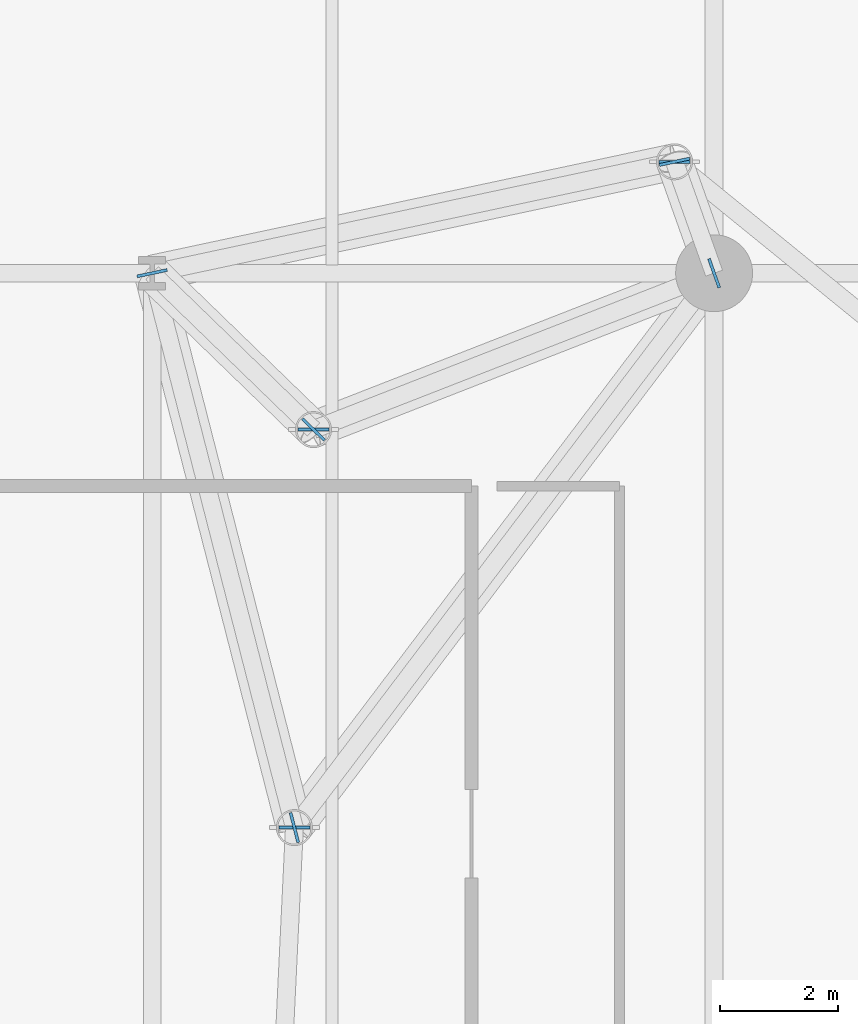
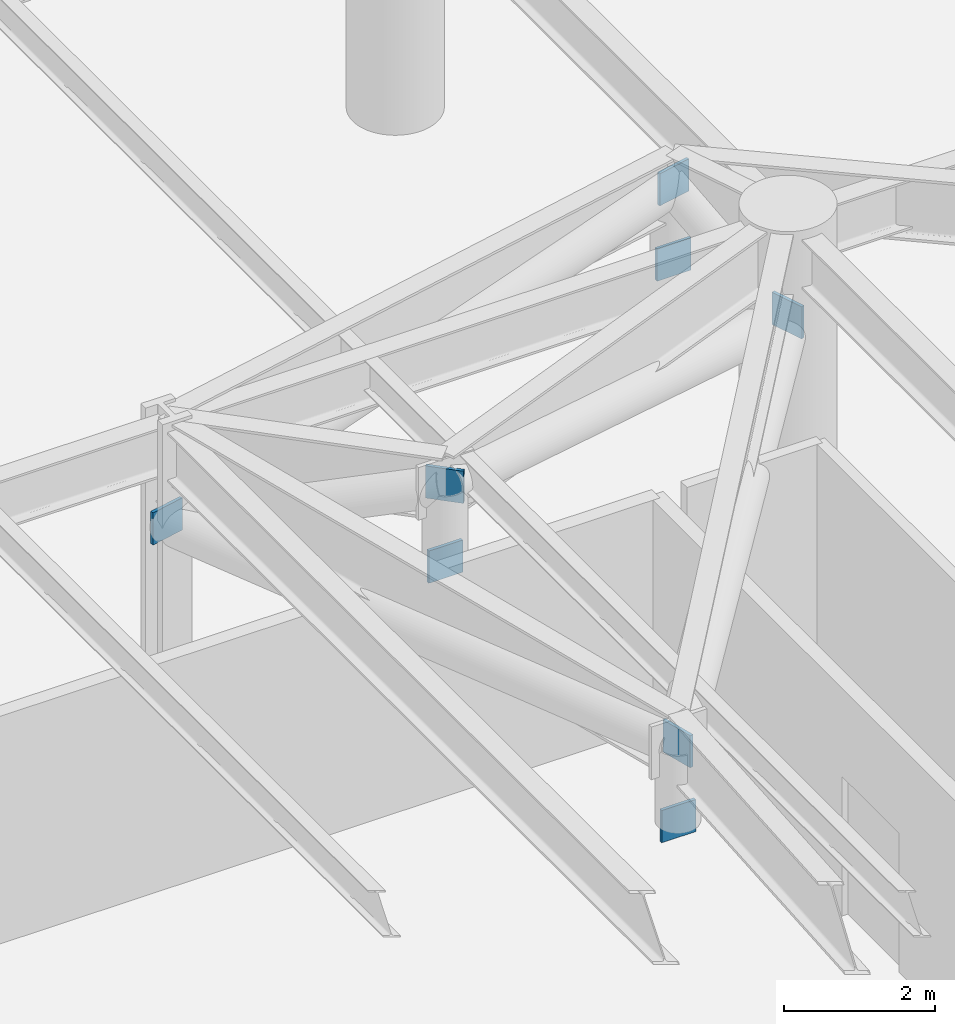
# One storey, part 36 of 40: 8 discrete accessories.
"""IFC4 building model written with IfcOpenShell, lengths in metres."""

from ifc_helpers import new_model, si_unit, direction, frame, origin, origin_2d, place, context, subcontext, project, spatial, rectangle, extrude, material, type_object, element, save


model = new_model("IFC4")

# Units and contexts
model_context = context("Model", 3, precision=1e-05, world=origin(), true_north=direction((0.0, 1.0)))
body_context = subcontext(model_context, "Body", "Model", "MODEL_VIEW")
ifc_project = project(units=[si_unit("LENGTHUNIT", "METRE"), si_unit("AREAUNIT", "SQUARE_METRE"), si_unit("VOLUMEUNIT", "CUBIC_METRE"), si_unit("PLANEANGLEUNIT", "RADIAN"), si_unit("MASSUNIT", "GRAM", prefix="KILO")], contexts=[model_context])

# Site, building, storey
site_placement = place(None, origin())
site = spatial("IfcSite", under=ifc_project, at=site_placement, CompositionType="ELEMENT")
building_placement = place(site_placement, origin())
building = spatial("IfcBuilding", under=site, at=building_placement, Name="Narakoshi Arena Tower", CompositionType="ELEMENT")
storey_placement = place(building_placement, frame((0.0, 0.0, 21.60009765625)))
storey = spatial("IfcBuildingStorey", under=building, at=storey_placement, Name="L05", CompositionType="ELEMENT", Elevation=21.60009765625)

# Discrete accessories
ifc_material = material(Name="Structural steel S460ML", Category="steel")
discrete_accessory_type = type_object("IfcDiscreteAccessoryType", Name="ACC-GUS-PLT", PredefinedType="BRACKET", material=ifc_material)
for number, where, z_axis, x_axis, name in (
    (1, (60.699951171875, 75.60009765625, 2.68994140625), (0.0, 0.0, 1.0), (0.978002212635, 0.208594515944, 0.0), "L05 Brace Node Gusset Plate 0121"),
    (2, (69.531005859375, 77.483154296875, 3.935791015625), (0.0, 0.0, 1.0), (0.978002212635, 0.208594515944, 0.0), "L05 Brace Node Gusset Plate 0122"),
    (3, (70.199951171875, 75.60009765625, 2.68994140625), (0.0, 0.0, 1.0), (-0.334793807884, 0.94229141257, 0.0), "L05 Brace Node Gusset Plate 0123"),
    (4, (69.531005859375, 77.483154296875, 2.68994140625), (0.0, 0.0, 1.0), (1.0, 0.0, 0.0), "L05 Brace Node Gusset Plate 0124"),
    (5, (63.42822265625, 72.95654296875, 3.935791015625), (0.0, 0.0, 1.0), (-0.718247746521, 0.69578744931, 0.0), "L05 Brace Node Gusset Plate 0125"),
    (6, (63.42822265625, 72.95654296875, 2.68994140625), (0.0, 0.0, 1.0), (1.0, 0.0, 0.0), "L05 Brace Node Gusset Plate 0126"),
    (7, (63.10498046875, 66.228271484375, 3.935791015625), (0.0, 0.0, 1.0), (-0.248520833726, 0.96862655095, 0.0), "L05 Brace Node Gusset Plate 0127"),
    (8, (63.10498046875, 66.228271484375, 2.68994140625), (0.0, 0.0, 1.0), (1.0, 0.0, 0.0), "L05 Brace Node Gusset Plate 0128"),
):
    element("IfcDiscreteAccessory", number, at=place(storey_placement, frame(where, z_axis=z_axis, x_axis=x_axis)), inside=storey, type_object=discrete_accessory_type, Name=name, PredefinedType="BRACKET", context=body_context, shape_type="SweptSolid", body=[
        extrude(rectangle(XDim=0.52001953125, YDim=0.050048828125, at=origin_2d()), origin(), (0.0, 0.0, 1.0), 0.52001953125),
    ])

save(model, "model.ifc")
